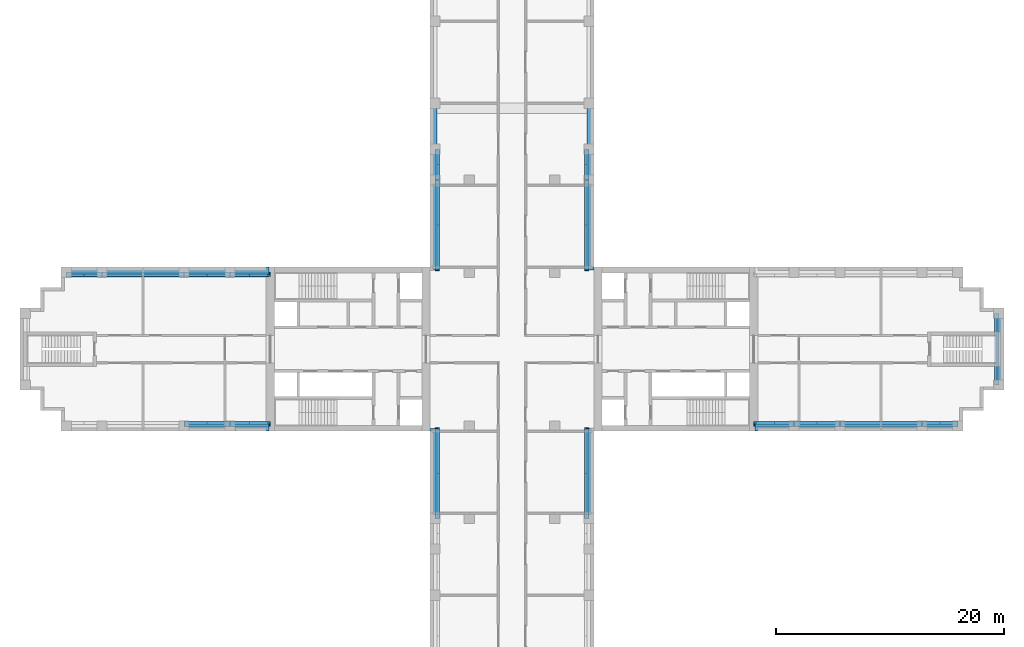
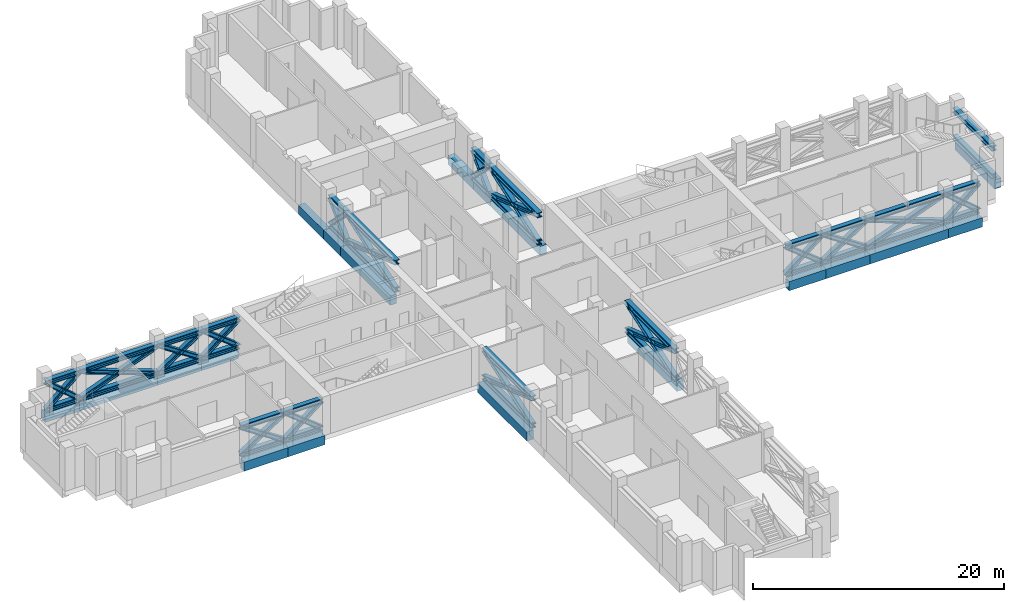
# One storey, part 2 of 10: 66 members, 19 beams.
"""IFC4 building model written with IfcOpenShell, lengths in metres."""

from ifc_helpers import new_model, si_unit, direction, frame, origin, origin_2d, place, context, subcontext, project, spatial, rectangle, i_section, extrude, material, material_profile, profile_set, type_object, element, save


model = new_model("IFC4")

# Units and contexts
model_context = context("Model", 3, precision=1e-05, world=origin(), true_north=direction((0.0, 1.0)))
body_context = subcontext(model_context, "Body", "Model", "MODEL_VIEW")
ifc_project = project(units=[si_unit("LENGTHUNIT", "METRE"), si_unit("AREAUNIT", "SQUARE_METRE"), si_unit("VOLUMEUNIT", "CUBIC_METRE"), si_unit("PLANEANGLEUNIT", "RADIAN"), si_unit("MASSUNIT", "GRAM", prefix="KILO")], contexts=[model_context])

# Site, building, storey
site_placement = place(None, origin())
site = spatial("IfcSite", under=ifc_project, at=site_placement, CompositionType="ELEMENT")
building_placement = place(site_placement, origin())
building = spatial("IfcBuilding", under=site, at=building_placement, Name="Fustian Cross Tower", CompositionType="ELEMENT")
storey_placement = place(building_placement, frame((0.0, 0.0, 62.699951171875)))
storey = spatial("IfcBuildingStorey", under=building, at=storey_placement, Name="L19", CompositionType="ELEMENT", Elevation=62.699951171875)

# Members
ifc_material_1 = material(Name="Steel S355", Category="steel")
ifc_material_profile_1 = material_profile(ifc_material_1, i_section(OverallWidth=0.403076171875, OverallDepth=0.406494140625, WebThickness=0.026611328125, FlangeThickness=0.04296875, FilletRadius=0.01513671875, at=origin_2d()), Name="UC 356x406x340")
ifc_profile_set_1 = profile_set([ifc_material_profile_1], Name="Steel S355")
member_type_1 = type_object("IfcMemberType", Name="BELT TRUSS BRACE UC 356x406x340 S355", PredefinedType="BRACE", material=ifc_profile_set_1)
for number, where, z_axis, x_axis, name in (
    (1, (21.35009765625, -6.570068359375, 0.400146484375), (0.787302149267, 0.0, 0.616567373252), (0.0, 1.0, 0.0), "BELT TRUSS BRACE L19-01X"),
    (2, (21.35009765625, -6.570068359375, 3.062744140625), (0.787302149267, 0.0, -0.616567373252), (0.0, 1.0, 0.0), "BELT TRUSS BRACE L19-01Y"),
):
    element("IfcMember", number, at=place(storey_placement, frame(where, z_axis=z_axis, x_axis=x_axis)), inside=storey, type_object=member_type_1, Name=name, PredefinedType="BRACE", context=body_context, shape_type="SweptSolid", body=[
        extrude(i_section(OverallWidth=0.403076171875, OverallDepth=0.406494140625, WebThickness=0.026611328125, FlangeThickness=0.04296875, FilletRadius=0.01513671875, at=origin_2d()), origin(), (0.0, 0.0, 1.0), 4.318359375),
    ])
for number, where, z_axis, x_axis, name in (
    (3, (24.75, -6.570068359375, 0.400146484375), (0.835597801521, 0.0, 0.549341709771), (0.0, 1.0, 0.0), "BELT TRUSS BRACE L19-02X"),
    (4, (24.75, -6.570068359375, 3.062744140625), (0.835597801521, 0.0, -0.549341709771), (0.0, 1.0, 0.0), "BELT TRUSS BRACE L19-02Y"),
):
    element("IfcMember", number, at=place(storey_placement, frame(where, z_axis=z_axis, x_axis=x_axis)), inside=storey, type_object=member_type_1, Name=name, PredefinedType="BRACE", context=body_context, shape_type="SweptSolid", body=[
        extrude(i_section(OverallWidth=0.403076171875, OverallDepth=0.406494140625, WebThickness=0.026611328125, FlangeThickness=0.04296875, FilletRadius=0.01513671875, at=origin_2d()), origin(), (0.0, 0.0, 1.0), 4.846923828125),
    ])
for number, where, z_axis, x_axis, name in (
    (5, (28.800048828125, -6.570068359375, 0.400146484375), (0.937920515883, 0.0, 0.346850264359), (0.0, 1.0, 0.0), "BELT TRUSS BRACE L19-03X"),
    (6, (28.800048828125, -6.570068359375, 3.062744140625), (0.937920515883, 0.0, -0.346850264359), (0.0, 1.0, 0.0), "BELT TRUSS BRACE L19-03Y"),
):
    element("IfcMember", number, at=place(storey_placement, frame(where, z_axis=z_axis, x_axis=x_axis)), inside=storey, type_object=member_type_1, Name=name, PredefinedType="BRACE", context=body_context, shape_type="SweptSolid", body=[
        extrude(i_section(OverallWidth=0.403076171875, OverallDepth=0.406494140625, WebThickness=0.026611328125, FlangeThickness=0.04296875, FilletRadius=0.01513671875, at=origin_2d()), origin(), (0.0, 0.0, 1.0), 7.676513671875),
    ])
for number, where, z_axis, x_axis, name in (
    (7, (36.0, -6.570068359375, 0.400146484375), (0.763709506591, 0.0, 0.645560058819), (0.0, 1.0, 0.0), "BELT TRUSS BRACE L19-04X"),
    (8, (36.0, -6.570068359375, 3.062744140625), (0.763709506591, 0.0, -0.645560058819), (0.0, 1.0, 0.0), "BELT TRUSS BRACE L19-04Y"),
):
    element("IfcMember", number, at=place(storey_placement, frame(where, z_axis=z_axis, x_axis=x_axis)), inside=storey, type_object=member_type_1, Name=name, PredefinedType="BRACE", context=body_context, shape_type="SweptSolid", body=[
        extrude(i_section(OverallWidth=0.403076171875, OverallDepth=0.406494140625, WebThickness=0.026611328125, FlangeThickness=0.04296875, FilletRadius=0.01513671875, at=origin_2d()), origin(), (0.0, 0.0, 1.0), 4.12451171875),
    ])
for number, where, z_axis, x_axis, name in (
    (9, (6.570068359375, 6.949951171875, 0.400146484375), (0.0, 0.947626731025, 0.319379990993), (-1.0, 0.0, 0.0), "BELT TRUSS BRACE L19-10X"),
    (10, (6.570068359375, 6.949951171875, 3.062744140625), (0.0, 0.947626731025, -0.319379990993), (-1.0, 0.0, 0.0), "BELT TRUSS BRACE L19-10Y"),
):
    element("IfcMember", number, at=place(storey_placement, frame(where, z_axis=z_axis, x_axis=x_axis)), inside=storey, type_object=member_type_1, Name=name, PredefinedType="BRACE", context=body_context, shape_type="SweptSolid", body=[
        extrude(i_section(OverallWidth=0.403076171875, OverallDepth=0.406494140625, WebThickness=0.026611328125, FlangeThickness=0.04296875, FilletRadius=0.01513671875, at=origin_2d()), origin(), (0.0, 0.0, 1.0), 8.336669921875),
    ])
for number, where, z_axis, x_axis, name in (
    (11, (6.570068359375, 14.85009765625, 0.400146484375), (0.0, 0.712014950109, 0.702164304719), (-1.0, 0.0, 0.0), "BELT TRUSS BRACE L19-11X"),
    (12, (6.570068359375, 14.85009765625, 3.062744140625), (0.0, 0.712014950109, -0.702164304719), (-1.0, 0.0, 0.0), "BELT TRUSS BRACE L19-11Y"),
    (13, (-6.570068359375, 17.550048828125, 0.400146484375), (0.0, -0.712014950109, 0.702164304719), (1.0, 0.0, 0.0), "BELT TRUSS BRACE L19-12X"),
    (14, (-6.570068359375, 17.550048828125, 3.062744140625), (0.0, -0.712014950109, -0.702164304719), (1.0, 0.0, 0.0), "BELT TRUSS BRACE L19-12Y"),
):
    element("IfcMember", number, at=place(storey_placement, frame(where, z_axis=z_axis, x_axis=x_axis)), inside=storey, type_object=member_type_1, Name=name, PredefinedType="BRACE", context=body_context, shape_type="SweptSolid", body=[
        extrude(i_section(OverallWidth=0.403076171875, OverallDepth=0.406494140625, WebThickness=0.026611328125, FlangeThickness=0.04296875, FilletRadius=0.01513671875, at=origin_2d()), origin(), (0.0, 0.0, 1.0), 3.7919921875),
    ])
for number, where, z_axis, x_axis, name in (
    (15, (-6.570068359375, 14.85009765625, 0.400146484375), (0.0, -0.947626731025, 0.319379990993), (1.0, 0.0, 0.0), "BELT TRUSS BRACE L19-13X"),
    (16, (-6.570068359375, 14.85009765625, 3.062744140625), (0.0, -0.947626731025, -0.319379990993), (1.0, 0.0, 0.0), "BELT TRUSS BRACE L19-13Y"),
):
    element("IfcMember", number, at=place(storey_placement, frame(where, z_axis=z_axis, x_axis=x_axis)), inside=storey, type_object=member_type_1, Name=name, PredefinedType="BRACE", context=body_context, shape_type="SweptSolid", body=[
        extrude(i_section(OverallWidth=0.403076171875, OverallDepth=0.406494140625, WebThickness=0.026611328125, FlangeThickness=0.04296875, FilletRadius=0.01513671875, at=origin_2d()), origin(), (0.0, 0.0, 1.0), 8.336669921875),
    ])
for number, where, z_axis, x_axis, name in (
    (17, (-21.35009765625, 6.570068359375, 0.400146484375), (-0.787302149267, 0.0, 0.616567373252), (0.0, -1.0, 0.0), "BELT TRUSS BRACE L19-14X"),
    (18, (-21.35009765625, 6.570068359375, 3.062744140625), (-0.787302149267, 0.0, -0.616567373252), (0.0, -1.0, 0.0), "BELT TRUSS BRACE L19-14Y"),
):
    element("IfcMember", number, at=place(storey_placement, frame(where, z_axis=z_axis, x_axis=x_axis)), inside=storey, type_object=member_type_1, Name=name, PredefinedType="BRACE", context=body_context, shape_type="SweptSolid", body=[
        extrude(i_section(OverallWidth=0.403076171875, OverallDepth=0.406494140625, WebThickness=0.026611328125, FlangeThickness=0.04296875, FilletRadius=0.01513671875, at=origin_2d()), origin(), (0.0, 0.0, 1.0), 4.318359375),
    ])
for number, where, z_axis, x_axis, name in (
    (19, (-24.75, 6.570068359375, 0.400146484375), (-0.835597801521, 0.0, 0.549341709771), (0.0, -1.0, 0.0), "BELT TRUSS BRACE L19-15X"),
    (20, (-24.75, 6.570068359375, 3.062744140625), (-0.835597801521, 0.0, -0.549341709771), (0.0, -1.0, 0.0), "BELT TRUSS BRACE L19-15Y"),
):
    element("IfcMember", number, at=place(storey_placement, frame(where, z_axis=z_axis, x_axis=x_axis)), inside=storey, type_object=member_type_1, Name=name, PredefinedType="BRACE", context=body_context, shape_type="SweptSolid", body=[
        extrude(i_section(OverallWidth=0.403076171875, OverallDepth=0.406494140625, WebThickness=0.026611328125, FlangeThickness=0.04296875, FilletRadius=0.01513671875, at=origin_2d()), origin(), (0.0, 0.0, 1.0), 4.846923828125),
    ])
for number, where, z_axis, x_axis, name in (
    (21, (-28.800048828125, 6.570068359375, 0.400146484375), (-0.937920515883, 0.0, 0.346850264359), (0.0, -1.0, 0.0), "BELT TRUSS BRACE L19-16X"),
    (22, (-28.800048828125, 6.570068359375, 3.062744140625), (-0.937920515883, 0.0, -0.346850264359), (0.0, -1.0, 0.0), "BELT TRUSS BRACE L19-16Y"),
):
    element("IfcMember", number, at=place(storey_placement, frame(where, z_axis=z_axis, x_axis=x_axis)), inside=storey, type_object=member_type_1, Name=name, PredefinedType="BRACE", context=body_context, shape_type="SweptSolid", body=[
        extrude(i_section(OverallWidth=0.403076171875, OverallDepth=0.406494140625, WebThickness=0.026611328125, FlangeThickness=0.04296875, FilletRadius=0.01513671875, at=origin_2d()), origin(), (0.0, 0.0, 1.0), 7.676513671875),
    ])
for number, where, z_axis, x_axis, name in (
    (23, (-36.0, 6.570068359375, 0.400146484375), (-0.763709506591, 0.0, 0.645560058819), (0.0, -1.0, 0.0), "BELT TRUSS BRACE L19-17X"),
    (24, (-36.0, 6.570068359375, 3.062744140625), (-0.763709506591, 0.0, -0.645560058819), (0.0, -1.0, 0.0), "BELT TRUSS BRACE L19-17Y"),
):
    element("IfcMember", number, at=place(storey_placement, frame(where, z_axis=z_axis, x_axis=x_axis)), inside=storey, type_object=member_type_1, Name=name, PredefinedType="BRACE", context=body_context, shape_type="SweptSolid", body=[
        extrude(i_section(OverallWidth=0.403076171875, OverallDepth=0.406494140625, WebThickness=0.026611328125, FlangeThickness=0.04296875, FilletRadius=0.01513671875, at=origin_2d()), origin(), (0.0, 0.0, 1.0), 4.12451171875),
    ])
for number, where, z_axis, x_axis, name in (
    (25, (-28.800048828125, -6.570068359375, 0.400146484375), (0.835597801521, 0.0, 0.549341709771), (0.0, 1.0, 0.0), "BELT TRUSS BRACE L19-21X"),
    (26, (-28.800048828125, -6.570068359375, 3.062744140625), (0.835597801521, 0.0, -0.549341709771), (0.0, 1.0, 0.0), "BELT TRUSS BRACE L19-21Y"),
):
    element("IfcMember", number, at=place(storey_placement, frame(where, z_axis=z_axis, x_axis=x_axis)), inside=storey, type_object=member_type_1, Name=name, PredefinedType="BRACE", context=body_context, shape_type="SweptSolid", body=[
        extrude(i_section(OverallWidth=0.403076171875, OverallDepth=0.406494140625, WebThickness=0.026611328125, FlangeThickness=0.04296875, FilletRadius=0.01513671875, at=origin_2d()), origin(), (0.0, 0.0, 1.0), 4.846923828125),
    ])
for number, where, z_axis, x_axis, name in (
    (27, (-24.75, -6.570068359375, 0.400146484375), (0.787302149267, 0.0, 0.616567373252), (0.0, 1.0, 0.0), "BELT TRUSS BRACE L19-22X"),
    (28, (-24.75, -6.570068359375, 3.062744140625), (0.787302149267, 0.0, -0.616567373252), (0.0, 1.0, 0.0), "BELT TRUSS BRACE L19-22Y"),
):
    element("IfcMember", number, at=place(storey_placement, frame(where, z_axis=z_axis, x_axis=x_axis)), inside=storey, type_object=member_type_1, Name=name, PredefinedType="BRACE", context=body_context, shape_type="SweptSolid", body=[
        extrude(i_section(OverallWidth=0.403076171875, OverallDepth=0.406494140625, WebThickness=0.026611328125, FlangeThickness=0.04296875, FilletRadius=0.01513671875, at=origin_2d()), origin(), (0.0, 0.0, 1.0), 4.318359375),
    ])
for number, where, z_axis, x_axis, name in (
    (29, (-6.570068359375, -6.949951171875, 0.400146484375), (0.0, -0.947626731025, 0.319379990993), (1.0, 0.0, 0.0), "BELT TRUSS BRACE L19-23X"),
    (30, (-6.570068359375, -6.949951171875, 3.062744140625), (0.0, -0.947626731025, -0.319379990993), (1.0, 0.0, 0.0), "BELT TRUSS BRACE L19-23Y"),
    (31, (6.570068359375, -14.85009765625, 0.400146484375), (0.0, 0.947626731025, 0.319379990993), (-1.0, 0.0, 0.0), "BELT TRUSS BRACE L19-35X"),
    (32, (6.570068359375, -14.85009765625, 3.062744140625), (0.0, 0.947626731025, -0.319379990993), (-1.0, 0.0, 0.0), "BELT TRUSS BRACE L19-35Y"),
):
    element("IfcMember", number, at=place(storey_placement, frame(where, z_axis=z_axis, x_axis=x_axis)), inside=storey, type_object=member_type_1, Name=name, PredefinedType="BRACE", context=body_context, shape_type="SweptSolid", body=[
        extrude(i_section(OverallWidth=0.403076171875, OverallDepth=0.406494140625, WebThickness=0.026611328125, FlangeThickness=0.04296875, FilletRadius=0.01513671875, at=origin_2d()), origin(), (0.0, 0.0, 1.0), 8.336669921875),
    ])
ifc_material_2 = material(Name="Steel S355", Category="steel")
ifc_material_profile_2 = material_profile(ifc_material_2, i_section(OverallWidth=0.424072265625, OverallDepth=0.474609375, WebThickness=0.047607421875, FlangeThickness=0.076904296875, FilletRadius=0.01513671875, at=origin_2d()), Name="UC 356x406x634")
ifc_profile_set_2 = profile_set([ifc_material_profile_2], Name="Steel S355")
member_type_2 = type_object("IfcMemberType", Name="BELT TRUSS CHORD UC 356x406x634 S355", PredefinedType="CHORD", material=ifc_profile_set_2)
for number, where, z_axis, x_axis, name in (
    (33, (21.35009765625, -6.570068359375, 3.062744140625), (1.0, 0.0, 0.0), (0.0, 1.0, 0.0), "BELT TRUSS CHORD L19-01"),
    (34, (21.35009765625, -6.570068359375, 0.400146484375), (1.0, 0.0, 0.0), (0.0, 1.0, 0.0), "BELT TRUSS CHORD L19-01"),
):
    element("IfcMember", number, at=place(storey_placement, frame(where, z_axis=z_axis, x_axis=x_axis)), inside=storey, type_object=member_type_2, Name=name, PredefinedType="CHORD", context=body_context, shape_type="SweptSolid", body=[
        extrude(i_section(OverallWidth=0.424072265625, OverallDepth=0.474609375, WebThickness=0.047607421875, FlangeThickness=0.076904296875, FilletRadius=0.01513671875, at=origin_2d()), origin(), (0.0, 0.0, 1.0), 3.39990234375),
    ])
for number, where, z_axis, x_axis, name in (
    (35, (24.75, -6.570068359375, 3.062744140625), (1.0, 0.0, 0.0), (0.0, 1.0, 0.0), "BELT TRUSS CHORD L19-02"),
    (36, (24.75, -6.570068359375, 0.400146484375), (1.0, 0.0, 0.0), (0.0, 1.0, 0.0), "BELT TRUSS CHORD L19-02"),
):
    element("IfcMember", number, at=place(storey_placement, frame(where, z_axis=z_axis, x_axis=x_axis)), inside=storey, type_object=member_type_2, Name=name, PredefinedType="CHORD", context=body_context, shape_type="SweptSolid", body=[
        extrude(i_section(OverallWidth=0.424072265625, OverallDepth=0.474609375, WebThickness=0.047607421875, FlangeThickness=0.076904296875, FilletRadius=0.01513671875, at=origin_2d()), origin(), (0.0, 0.0, 1.0), 4.050048828125),
    ])
for number, where, z_axis, x_axis, name in (
    (37, (28.800048828125, -6.570068359375, 3.062744140625), (1.0, 0.0, 0.0), (0.0, 1.0, 0.0), "BELT TRUSS CHORD L19-03"),
    (38, (28.800048828125, -6.570068359375, 0.400146484375), (1.0, 0.0, 0.0), (0.0, 1.0, 0.0), "BELT TRUSS CHORD L19-03"),
):
    element("IfcMember", number, at=place(storey_placement, frame(where, z_axis=z_axis, x_axis=x_axis)), inside=storey, type_object=member_type_2, Name=name, PredefinedType="CHORD", context=body_context, shape_type="SweptSolid", body=[
        extrude(i_section(OverallWidth=0.424072265625, OverallDepth=0.474609375, WebThickness=0.047607421875, FlangeThickness=0.076904296875, FilletRadius=0.01513671875, at=origin_2d()), origin(), (0.0, 0.0, 1.0), 7.199951171875),
    ])
for number, where, z_axis, x_axis, name in (
    (39, (36.0, -6.570068359375, 3.062744140625), (1.0, 0.0, 0.0), (0.0, 1.0, 0.0), "BELT TRUSS CHORD L19-04"),
    (40, (36.0, -6.570068359375, 0.400146484375), (1.0, 0.0, 0.0), (0.0, 1.0, 0.0), "BELT TRUSS CHORD L19-04"),
):
    element("IfcMember", number, at=place(storey_placement, frame(where, z_axis=z_axis, x_axis=x_axis)), inside=storey, type_object=member_type_2, Name=name, PredefinedType="CHORD", context=body_context, shape_type="SweptSolid", body=[
        extrude(i_section(OverallWidth=0.424072265625, OverallDepth=0.474609375, WebThickness=0.047607421875, FlangeThickness=0.076904296875, FilletRadius=0.01513671875, at=origin_2d()), origin(), (0.0, 0.0, 1.0), 3.14990234375),
    ])
for number, where, z_axis, x_axis, name in (
    (41, (42.570068359375, -3.14990234375, 3.062744140625), (0.0, 1.0, 0.0), (-1.0, 0.0, 0.0), "BELT TRUSS CHORD L19-05"),
    (42, (42.570068359375, -3.14990234375, 0.400146484375), (0.0, 1.0, 0.0), (-1.0, 0.0, 0.0), "BELT TRUSS CHORD L19-05"),
):
    element("IfcMember", number, at=place(storey_placement, frame(where, z_axis=z_axis, x_axis=x_axis)), inside=storey, type_object=member_type_2, Name=name, PredefinedType="CHORD", context=body_context, shape_type="SweptSolid", body=[
        extrude(i_section(OverallWidth=0.424072265625, OverallDepth=0.474609375, WebThickness=0.047607421875, FlangeThickness=0.076904296875, FilletRadius=0.01513671875, at=origin_2d()), origin(), (0.0, 0.0, 1.0), 6.2998046875),
    ])
for number, where, z_axis, x_axis, name in (
    (43, (6.570068359375, 6.949951171875, 3.062744140625), (0.0, 1.0, 0.0), (-1.0, 0.0, 0.0), "BELT TRUSS CHORD L19-10"),
    (44, (6.570068359375, 6.949951171875, 0.400146484375), (0.0, 1.0, 0.0), (-1.0, 0.0, 0.0), "BELT TRUSS CHORD L19-10"),
):
    element("IfcMember", number, at=place(storey_placement, frame(where, z_axis=z_axis, x_axis=x_axis)), inside=storey, type_object=member_type_2, Name=name, PredefinedType="CHORD", context=body_context, shape_type="SweptSolid", body=[
        extrude(i_section(OverallWidth=0.424072265625, OverallDepth=0.474609375, WebThickness=0.047607421875, FlangeThickness=0.076904296875, FilletRadius=0.01513671875, at=origin_2d()), origin(), (0.0, 0.0, 1.0), 7.900146484375),
    ])
for number, where, z_axis, x_axis, name in (
    (45, (6.570068359375, 14.85009765625, 3.062744140625), (0.0, 1.0, 0.0), (-1.0, 0.0, 0.0), "BELT TRUSS CHORD L19-11"),
    (46, (6.570068359375, 14.85009765625, 0.400146484375), (0.0, 1.0, 0.0), (-1.0, 0.0, 0.0), "BELT TRUSS CHORD L19-11"),
    (47, (-6.570068359375, 17.550048828125, 3.062744140625), (0.0, -1.0, 0.0), (1.0, 0.0, 0.0), "BELT TRUSS CHORD L19-12"),
    (48, (-6.570068359375, 17.550048828125, 0.400146484375), (0.0, -1.0, 0.0), (1.0, 0.0, 0.0), "BELT TRUSS CHORD L19-12"),
):
    element("IfcMember", number, at=place(storey_placement, frame(where, z_axis=z_axis, x_axis=x_axis)), inside=storey, type_object=member_type_2, Name=name, PredefinedType="CHORD", context=body_context, shape_type="SweptSolid", body=[
        extrude(i_section(OverallWidth=0.424072265625, OverallDepth=0.474609375, WebThickness=0.047607421875, FlangeThickness=0.076904296875, FilletRadius=0.01513671875, at=origin_2d()), origin(), (0.0, 0.0, 1.0), 2.699951171875),
    ])
for number, where, z_axis, x_axis, name in (
    (49, (-6.570068359375, 14.85009765625, 3.062744140625), (0.0, -1.0, 0.0), (1.0, 0.0, 0.0), "BELT TRUSS CHORD L19-13"),
    (50, (-6.570068359375, 14.85009765625, 0.400146484375), (0.0, -1.0, 0.0), (1.0, 0.0, 0.0), "BELT TRUSS CHORD L19-13"),
):
    element("IfcMember", number, at=place(storey_placement, frame(where, z_axis=z_axis, x_axis=x_axis)), inside=storey, type_object=member_type_2, Name=name, PredefinedType="CHORD", context=body_context, shape_type="SweptSolid", body=[
        extrude(i_section(OverallWidth=0.424072265625, OverallDepth=0.474609375, WebThickness=0.047607421875, FlangeThickness=0.076904296875, FilletRadius=0.01513671875, at=origin_2d()), origin(), (0.0, 0.0, 1.0), 7.900146484375),
    ])
for number, where, z_axis, x_axis, name in (
    (51, (-21.35009765625, 6.570068359375, 3.062744140625), (-1.0, 0.0, 0.0), (0.0, -1.0, 0.0), "BELT TRUSS CHORD L19-14"),
    (52, (-21.35009765625, 6.570068359375, 0.400146484375), (-1.0, 0.0, 0.0), (0.0, -1.0, 0.0), "BELT TRUSS CHORD L19-14"),
):
    element("IfcMember", number, at=place(storey_placement, frame(where, z_axis=z_axis, x_axis=x_axis)), inside=storey, type_object=member_type_2, Name=name, PredefinedType="CHORD", context=body_context, shape_type="SweptSolid", body=[
        extrude(i_section(OverallWidth=0.424072265625, OverallDepth=0.474609375, WebThickness=0.047607421875, FlangeThickness=0.076904296875, FilletRadius=0.01513671875, at=origin_2d()), origin(), (0.0, 0.0, 1.0), 3.39990234375),
    ])
for number, where, z_axis, x_axis, name in (
    (53, (-24.75, 6.570068359375, 3.062744140625), (-1.0, 0.0, 0.0), (0.0, -1.0, 0.0), "BELT TRUSS CHORD L19-15"),
    (54, (-24.75, 6.570068359375, 0.400146484375), (-1.0, 0.0, 0.0), (0.0, -1.0, 0.0), "BELT TRUSS CHORD L19-15"),
):
    element("IfcMember", number, at=place(storey_placement, frame(where, z_axis=z_axis, x_axis=x_axis)), inside=storey, type_object=member_type_2, Name=name, PredefinedType="CHORD", context=body_context, shape_type="SweptSolid", body=[
        extrude(i_section(OverallWidth=0.424072265625, OverallDepth=0.474609375, WebThickness=0.047607421875, FlangeThickness=0.076904296875, FilletRadius=0.01513671875, at=origin_2d()), origin(), (0.0, 0.0, 1.0), 4.050048828125),
    ])
for number, where, z_axis, x_axis, name in (
    (55, (-28.800048828125, 6.570068359375, 3.062744140625), (-1.0, 0.0, 0.0), (0.0, -1.0, 0.0), "BELT TRUSS CHORD L19-16"),
    (56, (-28.800048828125, 6.570068359375, 0.400146484375), (-1.0, 0.0, 0.0), (0.0, -1.0, 0.0), "BELT TRUSS CHORD L19-16"),
):
    element("IfcMember", number, at=place(storey_placement, frame(where, z_axis=z_axis, x_axis=x_axis)), inside=storey, type_object=member_type_2, Name=name, PredefinedType="CHORD", context=body_context, shape_type="SweptSolid", body=[
        extrude(i_section(OverallWidth=0.424072265625, OverallDepth=0.474609375, WebThickness=0.047607421875, FlangeThickness=0.076904296875, FilletRadius=0.01513671875, at=origin_2d()), origin(), (0.0, 0.0, 1.0), 7.199951171875),
    ])
for number, where, z_axis, x_axis, name in (
    (57, (-36.0, 6.570068359375, 3.062744140625), (-1.0, 0.0, 0.0), (0.0, -1.0, 0.0), "BELT TRUSS CHORD L19-17"),
    (58, (-36.0, 6.570068359375, 0.400146484375), (-1.0, 0.0, 0.0), (0.0, -1.0, 0.0), "BELT TRUSS CHORD L19-17"),
):
    element("IfcMember", number, at=place(storey_placement, frame(where, z_axis=z_axis, x_axis=x_axis)), inside=storey, type_object=member_type_2, Name=name, PredefinedType="CHORD", context=body_context, shape_type="SweptSolid", body=[
        extrude(i_section(OverallWidth=0.424072265625, OverallDepth=0.474609375, WebThickness=0.047607421875, FlangeThickness=0.076904296875, FilletRadius=0.01513671875, at=origin_2d()), origin(), (0.0, 0.0, 1.0), 3.14990234375),
    ])
for number, where, z_axis, x_axis, name in (
    (59, (-28.800048828125, -6.570068359375, 3.062744140625), (1.0, 0.0, 0.0), (0.0, 1.0, 0.0), "BELT TRUSS CHORD L19-21"),
    (60, (-28.800048828125, -6.570068359375, 0.400146484375), (1.0, 0.0, 0.0), (0.0, 1.0, 0.0), "BELT TRUSS CHORD L19-21"),
):
    element("IfcMember", number, at=place(storey_placement, frame(where, z_axis=z_axis, x_axis=x_axis)), inside=storey, type_object=member_type_2, Name=name, PredefinedType="CHORD", context=body_context, shape_type="SweptSolid", body=[
        extrude(i_section(OverallWidth=0.424072265625, OverallDepth=0.474609375, WebThickness=0.047607421875, FlangeThickness=0.076904296875, FilletRadius=0.01513671875, at=origin_2d()), origin(), (0.0, 0.0, 1.0), 4.050048828125),
    ])
for number, where, z_axis, x_axis, name in (
    (61, (-24.75, -6.570068359375, 3.062744140625), (1.0, 0.0, 0.0), (0.0, 1.0, 0.0), "BELT TRUSS CHORD L19-22"),
    (62, (-24.75, -6.570068359375, 0.400146484375), (1.0, 0.0, 0.0), (0.0, 1.0, 0.0), "BELT TRUSS CHORD L19-22"),
):
    element("IfcMember", number, at=place(storey_placement, frame(where, z_axis=z_axis, x_axis=x_axis)), inside=storey, type_object=member_type_2, Name=name, PredefinedType="CHORD", context=body_context, shape_type="SweptSolid", body=[
        extrude(i_section(OverallWidth=0.424072265625, OverallDepth=0.474609375, WebThickness=0.047607421875, FlangeThickness=0.076904296875, FilletRadius=0.01513671875, at=origin_2d()), origin(), (0.0, 0.0, 1.0), 3.39990234375),
    ])
for number, where, z_axis, x_axis, name in (
    (63, (-6.570068359375, -6.949951171875, 3.062744140625), (0.0, -1.0, 0.0), (1.0, 0.0, 0.0), "BELT TRUSS CHORD L19-23"),
    (64, (-6.570068359375, -6.949951171875, 0.400146484375), (0.0, -1.0, 0.0), (1.0, 0.0, 0.0), "BELT TRUSS CHORD L19-23"),
    (65, (6.570068359375, -14.85009765625, 3.062744140625), (0.0, 1.0, 0.0), (-1.0, 0.0, 0.0), "BELT TRUSS CHORD L19-35"),
    (66, (6.570068359375, -14.85009765625, 0.400146484375), (0.0, 1.0, 0.0), (-1.0, 0.0, 0.0), "BELT TRUSS CHORD L19-35"),
):
    element("IfcMember", number, at=place(storey_placement, frame(where, z_axis=z_axis, x_axis=x_axis)), inside=storey, type_object=member_type_2, Name=name, PredefinedType="CHORD", context=body_context, shape_type="SweptSolid", body=[
        extrude(i_section(OverallWidth=0.424072265625, OverallDepth=0.474609375, WebThickness=0.047607421875, FlangeThickness=0.076904296875, FilletRadius=0.01513671875, at=origin_2d()), origin(), (0.0, 0.0, 1.0), 7.900146484375),
    ])

# Beams
ifc_material_3 = material(Name="Concrete C50/60", Category="concrete")
ifc_material_profile_3 = material_profile(ifc_material_3, rectangle(XDim=0.60009765625, YDim=0.89990234375, at=origin_2d()), Name="RC 600x900")
ifc_profile_set_3 = profile_set([ifc_material_profile_3], Name="Concrete C50/60")
beam_type = type_object("IfcBeamType", Name="EDGE BEAM RC 600x900 C50/60", PredefinedType="SPANDREL", material=ifc_profile_set_3)
beam_1_placement = place(storey_placement, frame((21.35009765625, -6.89990234375, -0.449951171875), z_axis=(1.0, 0.0, 0.0), x_axis=(0.0, 1.0, 0.0)))
element("IfcBeam", 67, at=beam_1_placement, inside=storey, type_object=beam_type, Name="EDGE BEAM L19-01", PredefinedType="SPANDREL", context=body_context, shape_type="SweptSolid", body=[
    extrude(rectangle(XDim=0.60009765625, YDim=0.89990234375, at=origin_2d()), origin(), (0.0, 0.0, 1.0), 3.39990234375),
])
beam_2_placement = place(storey_placement, frame((24.75, -6.89990234375, -0.449951171875), z_axis=(1.0, 0.0, 0.0), x_axis=(0.0, 1.0, 0.0)))
element("IfcBeam", 68, at=beam_2_placement, inside=storey, type_object=beam_type, Name="EDGE BEAM L19-02", PredefinedType="SPANDREL", context=body_context, shape_type="SweptSolid", body=[
    extrude(rectangle(XDim=0.60009765625, YDim=0.89990234375, at=origin_2d()), origin(), (0.0, 0.0, 1.0), 4.050048828125),
])
beam_3_placement = place(storey_placement, frame((28.800048828125, -6.89990234375, -0.449951171875), z_axis=(1.0, 0.0, 0.0), x_axis=(0.0, 1.0, 0.0)))
element("IfcBeam", 69, at=beam_3_placement, inside=storey, type_object=beam_type, Name="EDGE BEAM L19-03", PredefinedType="SPANDREL", context=body_context, shape_type="SweptSolid", body=[
    extrude(rectangle(XDim=0.60009765625, YDim=0.89990234375, at=origin_2d()), origin(), (0.0, 0.0, 1.0), 7.199951171875),
])
beam_4_placement = place(storey_placement, frame((36.0, -6.89990234375, -0.449951171875), z_axis=(1.0, 0.0, 0.0), x_axis=(0.0, 1.0, 0.0)))
element("IfcBeam", 70, at=beam_4_placement, inside=storey, type_object=beam_type, Name="EDGE BEAM L19-04", PredefinedType="SPANDREL", context=body_context, shape_type="SweptSolid", body=[
    extrude(rectangle(XDim=0.60009765625, YDim=0.89990234375, at=origin_2d()), origin(), (0.0, 0.0, 1.0), 3.14990234375),
])
beam_5_placement = place(storey_placement, frame((42.89990234375, -3.14990234375, -0.449951171875), z_axis=(0.0, 1.0, 0.0), x_axis=(-1.0, 0.0, 0.0)))
element("IfcBeam", 71, at=beam_5_placement, inside=storey, type_object=beam_type, Name="EDGE BEAM L19-05", PredefinedType="SPANDREL", context=body_context, shape_type="SweptSolid", body=[
    extrude(rectangle(XDim=0.60009765625, YDim=0.89990234375, at=origin_2d()), origin(), (0.0, 0.0, 1.0), 6.2998046875),
])
beam_6_placement = place(storey_placement, frame((6.89990234375, 6.949951171875, -0.449951171875), z_axis=(0.0, 1.0, 0.0), x_axis=(-1.0, 0.0, 0.0)))
element("IfcBeam", 72, at=beam_6_placement, inside=storey, type_object=beam_type, Name="EDGE BEAM L19-10", PredefinedType="SPANDREL", context=body_context, shape_type="SweptSolid", body=[
    extrude(rectangle(XDim=0.60009765625, YDim=0.89990234375, at=origin_2d()), origin(), (0.0, 0.0, 1.0), 7.900146484375),
])
beam_7_placement = place(storey_placement, frame((6.89990234375, 14.85009765625, -0.449951171875), z_axis=(0.0, 1.0, 0.0), x_axis=(-1.0, 0.0, 0.0)))
element("IfcBeam", 73, at=beam_7_placement, inside=storey, type_object=beam_type, Name="EDGE BEAM L19-11", PredefinedType="SPANDREL", context=body_context, shape_type="SweptSolid", body=[
    extrude(rectangle(XDim=0.60009765625, YDim=0.89990234375, at=origin_2d()), origin(), (0.0, 0.0, 1.0), 2.699951171875),
])
for number, where, z_axis, x_axis, name in (
    (74, (6.89990234375, 17.550048828125, -0.449951171875), (0.0, 1.0, 0.0), (-1.0, 0.0, 0.0), "EDGE BEAM L19-12"),
    (75, (-6.89990234375, 21.60009765625, -0.449951171875), (0.0, -1.0, 0.0), (1.0, 0.0, 0.0), "EDGE BEAM L19-20"),
):
    element("IfcBeam", number, at=place(storey_placement, frame(where, z_axis=z_axis, x_axis=x_axis)), inside=storey, type_object=beam_type, Name=name, PredefinedType="SPANDREL", context=body_context, shape_type="SweptSolid", body=[
        extrude(rectangle(XDim=0.60009765625, YDim=0.89990234375, at=origin_2d()), origin(), (0.0, 0.0, 1.0), 4.050048828125),
    ])
beam_8_placement = place(storey_placement, frame((-6.89990234375, 17.550048828125, -0.449951171875), z_axis=(0.0, -1.0, 0.0), x_axis=(1.0, 0.0, 0.0)))
element("IfcBeam", 76, at=beam_8_placement, inside=storey, type_object=beam_type, Name="EDGE BEAM L19-21", PredefinedType="SPANDREL", context=body_context, shape_type="SweptSolid", body=[
    extrude(rectangle(XDim=0.60009765625, YDim=0.89990234375, at=origin_2d()), origin(), (0.0, 0.0, 1.0), 2.699951171875),
])
beam_9_placement = place(storey_placement, frame((-6.89990234375, 14.85009765625, -0.449951171875), z_axis=(0.0, -1.0, 0.0), x_axis=(1.0, 0.0, 0.0)))
element("IfcBeam", 77, at=beam_9_placement, inside=storey, type_object=beam_type, Name="EDGE BEAM L19-22", PredefinedType="SPANDREL", context=body_context, shape_type="SweptSolid", body=[
    extrude(rectangle(XDim=0.60009765625, YDim=0.89990234375, at=origin_2d()), origin(), (0.0, 0.0, 1.0), 7.900146484375),
])
beam_10_placement = place(storey_placement, frame((-21.35009765625, 6.89990234375, -0.449951171875), z_axis=(-1.0, 0.0, 0.0), x_axis=(0.0, -1.0, 0.0)))
element("IfcBeam", 78, at=beam_10_placement, inside=storey, type_object=beam_type, Name="EDGE BEAM L19-23", PredefinedType="SPANDREL", context=body_context, shape_type="SweptSolid", body=[
    extrude(rectangle(XDim=0.60009765625, YDim=0.89990234375, at=origin_2d()), origin(), (0.0, 0.0, 1.0), 3.39990234375),
])
beam_11_placement = place(storey_placement, frame((-24.75, 6.89990234375, -0.449951171875), z_axis=(-1.0, 0.0, 0.0), x_axis=(0.0, -1.0, 0.0)))
element("IfcBeam", 79, at=beam_11_placement, inside=storey, type_object=beam_type, Name="EDGE BEAM L19-24", PredefinedType="SPANDREL", context=body_context, shape_type="SweptSolid", body=[
    extrude(rectangle(XDim=0.60009765625, YDim=0.89990234375, at=origin_2d()), origin(), (0.0, 0.0, 1.0), 4.050048828125),
])
beam_12_placement = place(storey_placement, frame((-28.800048828125, 6.89990234375, -0.449951171875), z_axis=(-1.0, 0.0, 0.0), x_axis=(0.0, -1.0, 0.0)))
element("IfcBeam", 80, at=beam_12_placement, inside=storey, type_object=beam_type, Name="EDGE BEAM L19-25", PredefinedType="SPANDREL", context=body_context, shape_type="SweptSolid", body=[
    extrude(rectangle(XDim=0.60009765625, YDim=0.89990234375, at=origin_2d()), origin(), (0.0, 0.0, 1.0), 7.199951171875),
])
beam_13_placement = place(storey_placement, frame((-36.0, 6.89990234375, -0.449951171875), z_axis=(-1.0, 0.0, 0.0), x_axis=(0.0, -1.0, 0.0)))
element("IfcBeam", 81, at=beam_13_placement, inside=storey, type_object=beam_type, Name="EDGE BEAM L19-26", PredefinedType="SPANDREL", context=body_context, shape_type="SweptSolid", body=[
    extrude(rectangle(XDim=0.60009765625, YDim=0.89990234375, at=origin_2d()), origin(), (0.0, 0.0, 1.0), 3.14990234375),
])
beam_14_placement = place(storey_placement, frame((-28.800048828125, -6.89990234375, -0.449951171875), z_axis=(1.0, 0.0, 0.0), x_axis=(0.0, 1.0, 0.0)))
element("IfcBeam", 82, at=beam_14_placement, inside=storey, type_object=beam_type, Name="EDGE BEAM L19-30", PredefinedType="SPANDREL", context=body_context, shape_type="SweptSolid", body=[
    extrude(rectangle(XDim=0.60009765625, YDim=0.89990234375, at=origin_2d()), origin(), (0.0, 0.0, 1.0), 4.050048828125),
])
beam_15_placement = place(storey_placement, frame((-24.75, -6.89990234375, -0.449951171875), z_axis=(1.0, 0.0, 0.0), x_axis=(0.0, 1.0, 0.0)))
element("IfcBeam", 83, at=beam_15_placement, inside=storey, type_object=beam_type, Name="EDGE BEAM L19-31", PredefinedType="SPANDREL", context=body_context, shape_type="SweptSolid", body=[
    extrude(rectangle(XDim=0.60009765625, YDim=0.89990234375, at=origin_2d()), origin(), (0.0, 0.0, 1.0), 3.39990234375),
])
for number, where, z_axis, x_axis, name in (
    (84, (-6.89990234375, -6.949951171875, -0.449951171875), (0.0, -1.0, 0.0), (1.0, 0.0, 0.0), "EDGE BEAM L19-32"),
    (85, (6.89990234375, -14.85009765625, -0.449951171875), (0.0, 1.0, 0.0), (-1.0, 0.0, 0.0), "EDGE BEAM L19-44"),
):
    element("IfcBeam", number, at=place(storey_placement, frame(where, z_axis=z_axis, x_axis=x_axis)), inside=storey, type_object=beam_type, Name=name, PredefinedType="SPANDREL", context=body_context, shape_type="SweptSolid", body=[
        extrude(rectangle(XDim=0.60009765625, YDim=0.89990234375, at=origin_2d()), origin(), (0.0, 0.0, 1.0), 7.900146484375),
    ])

save(model, "model.ifc")
